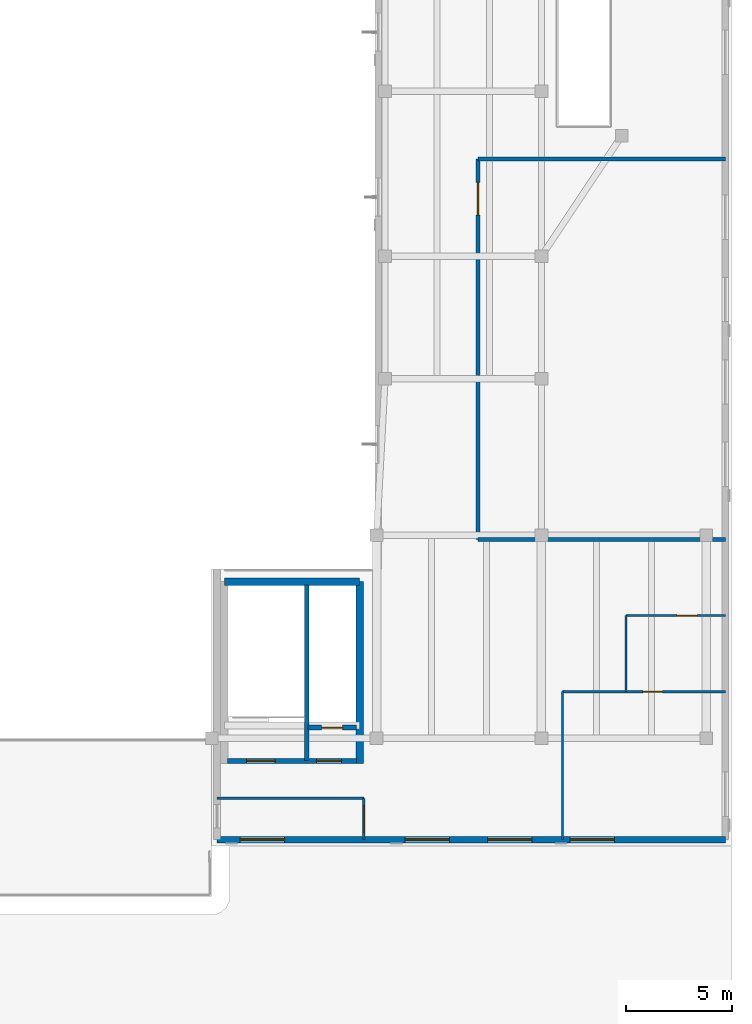
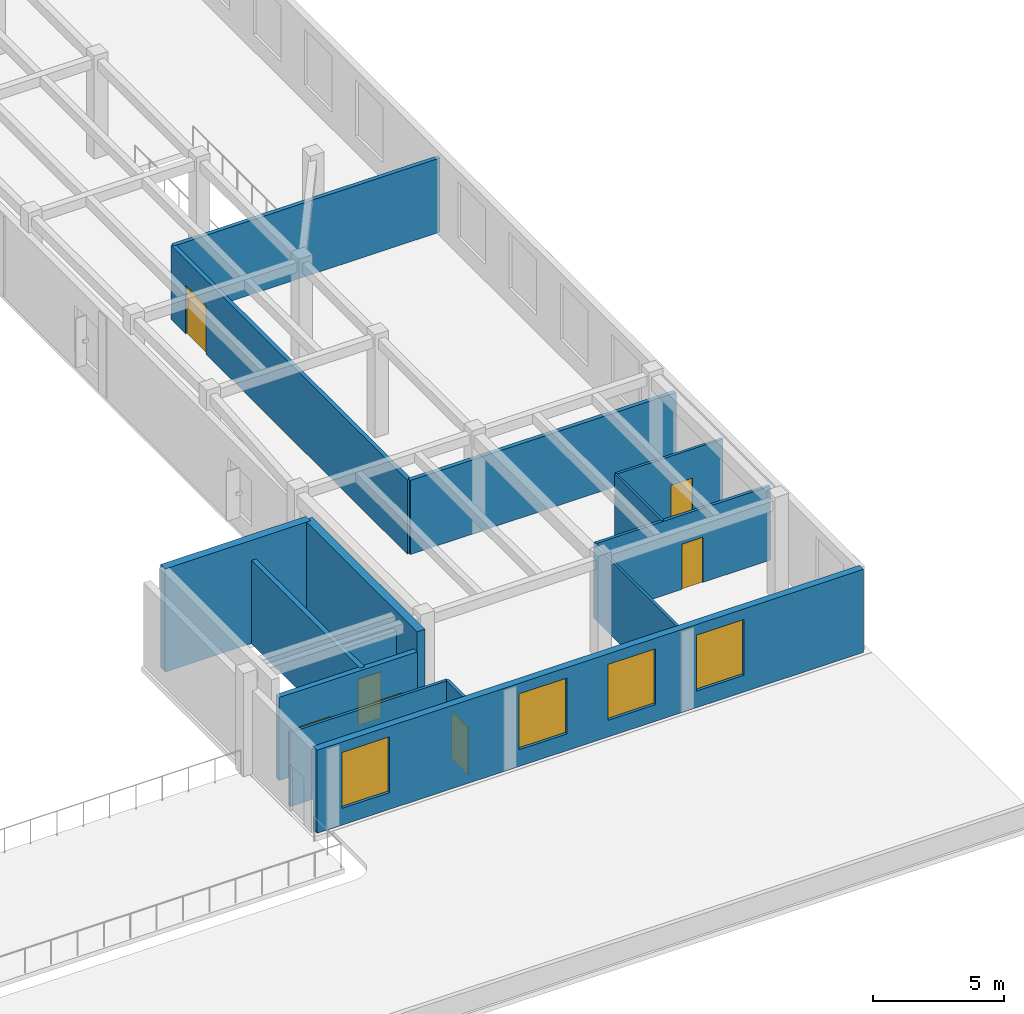
# One storey, part 61 of 69: 15 walls, 7 doors, 4 windows, 11 openings.
"""IFC4 building model written with IfcOpenShell, lengths in metres."""

from ifc_helpers import new_model, si_unit, direction, frame, frame_2d, origin, place, context, subcontext, project, spatial, rectangle, extrude, material, layer, layer_set, type_object, element, fill, save


model = new_model("IFC4")

# Units and contexts
model_context = context("Model", 3, precision=1e-05, world=origin(), true_north=direction((0.0, 1.0)))
body_context = subcontext(model_context, "Body", "Model", "MODEL_VIEW")
ifc_project = project(units=[si_unit("LENGTHUNIT", "METRE"), si_unit("AREAUNIT", "SQUARE_METRE"), si_unit("VOLUMEUNIT", "CUBIC_METRE"), si_unit("PLANEANGLEUNIT", "RADIAN"), si_unit("MASSUNIT", "GRAM", prefix="KILO")], contexts=[model_context])

# Site, building, storey
site_placement = place(None, origin())
site = spatial("IfcSite", under=ifc_project, at=site_placement, CompositionType="ELEMENT")
building_placement = place(site_placement, origin())
building = spatial("IfcBuilding", under=site, at=building_placement, Name="Pelvatis Terrace Science Centre", CompositionType="ELEMENT")
storey_placement = place(building_placement, frame((0.0, 0.0, 15.0)))
storey = spatial("IfcBuildingStorey", under=building, at=storey_placement, Name="L03", CompositionType="ELEMENT", Elevation=15.0)

# Wall, openings, windows
ifc_material_1 = material(Name="Precast concrete C35/45 architectural stone", Category="masonry")
ifc_layer_1 = layer(ifc_material_1, 0.31005859375)
ifc_layer_set_1 = layer_set([ifc_layer_1], Name="Precast concrete C35/45 architectural stone")
wall_type_1 = type_object("IfcWallType", Name="WL-EXT-PREC-310", PredefinedType="SOLIDWALL", material=ifc_layer_set_1)
wall_1_placement = place(storey_placement, frame((132.85009765625, 19.199951171875, 0.0), z_axis=(0.0, 0.0, 1.0), x_axis=(1.0, 0.0, 0.0)))
wall_1 = element("IfcWall", 1, at=wall_1_placement, inside=storey, type_object=wall_type_1, Name="Exterior classical Art Deco facade wall EW-L03-STER", PredefinedType="SOLIDWALL", context=body_context, shape_type="SweptSolid", body=[
    extrude(rectangle(XDim=24.0498046875, YDim=0.31005859375, at=frame_2d((12.02490234375, 0.0))), origin(), (0.0, 0.0, 1.0), 3.8701171875),
])
opening_1_placement = place(wall_1_placement, frame((1.10009765625, 0.0, 0.780029296875)))
opening_1 = element("IfcOpeningElement", 2, at=opening_1_placement, cuts=wall_1, Name="Opening W-095", PredefinedType="OPENING", context=body_context, shape_type="SweptSolid", body=[
    extrude(rectangle(XDim=2.10009765625, YDim=2.60009765625, at=frame_2d((1.050048828125, 1.300048828125))), frame((0.0, 0.1650390625, 0.0), z_axis=(0.0, -1.0, 0.0), x_axis=(1.0, 0.0, 0.0)), (0.0, 0.0, 1.0), 0.330078125),
])
opening_2_placement = place(wall_1_placement, frame((8.89990234375, 0.0, 0.780029296875)))
opening_2 = element("IfcOpeningElement", 3, at=opening_2_placement, cuts=wall_1, Name="Opening W-096", PredefinedType="OPENING", context=body_context, shape_type="SweptSolid", body=[
    extrude(rectangle(XDim=2.10009765625, YDim=2.60009765625, at=frame_2d((1.050048828125, 1.300048828125))), frame((0.0, 0.1650390625, 0.0), z_axis=(0.0, -1.0, 0.0), x_axis=(1.0, 0.0, 0.0)), (0.0, 0.0, 1.0), 0.330078125),
])
opening_3_placement = place(wall_1_placement, frame((12.800048828125, 0.0, 0.780029296875)))
opening_3 = element("IfcOpeningElement", 4, at=opening_3_placement, cuts=wall_1, Name="Opening W-097", PredefinedType="OPENING", context=body_context, shape_type="SweptSolid", body=[
    extrude(rectangle(XDim=2.10009765625, YDim=2.60009765625, at=frame_2d((1.050048828125, 1.300048828125))), frame((0.0, 0.1650390625, 0.0), z_axis=(0.0, -1.0, 0.0), x_axis=(1.0, 0.0, 0.0)), (0.0, 0.0, 1.0), 0.330078125),
])
opening_4_placement = place(wall_1_placement, frame((16.699951171875, 0.0, 0.780029296875)))
opening_4 = element("IfcOpeningElement", 5, at=opening_4_placement, cuts=wall_1, Name="Opening W-098", PredefinedType="OPENING", context=body_context, shape_type="SweptSolid", body=[
    extrude(rectangle(XDim=2.10009765625, YDim=2.60009765625, at=frame_2d((1.050048828125, 1.300048828125))), frame((0.0, 0.1650390625, 0.0), z_axis=(0.0, -1.0, 0.0), x_axis=(1.0, 0.0, 0.0)), (0.0, 0.0, 1.0), 0.330078125),
])
ifc_material_2 = material(Name="Bronze-anodised aluminium and laminated low-e glass", Category="aluminium")
window_type = type_object("IfcWindowType", Name="WIN-AD-2100x2600", PartitioningType="SINGLE_PANEL", PredefinedType="WINDOW", material=ifc_material_2)
window_1_placement = place(opening_1_placement, origin())
window_1 = element("IfcWindow", 6, at=window_1_placement, inside=storey, type_object=window_type, Name="Art Deco facade window W-095 (L03)", OverallHeight=2.60009765625, OverallWidth=2.10009765625, PartitioningType="SINGLE_PANEL", PredefinedType="WINDOW", context=body_context, shape_type="SweptSolid", body=[
    extrude(rectangle(XDim=2.10009765625, YDim=2.60009765625, at=frame_2d((1.050048828125, 1.300048828125))), frame((0.0, 0.030029296875, 0.0), z_axis=(0.0, -1.0, 0.0), x_axis=(1.0, 0.0, 0.0)), (0.0, 0.0, 1.0), 0.06005859375),
])
fill(opening_1, window_1)
window_2_placement = place(opening_2_placement, origin())
window_2 = element("IfcWindow", 7, at=window_2_placement, inside=storey, type_object=window_type, Name="Art Deco facade window W-096 (L03)", OverallHeight=2.60009765625, OverallWidth=2.10009765625, PartitioningType="SINGLE_PANEL", PredefinedType="WINDOW", context=body_context, shape_type="SweptSolid", body=[
    extrude(rectangle(XDim=2.10009765625, YDim=2.60009765625, at=frame_2d((1.050048828125, 1.300048828125))), frame((0.0, 0.030029296875, 0.0), z_axis=(0.0, -1.0, 0.0), x_axis=(1.0, 0.0, 0.0)), (0.0, 0.0, 1.0), 0.06005859375),
])
fill(opening_2, window_2)
window_3_placement = place(opening_3_placement, origin())
window_3 = element("IfcWindow", 8, at=window_3_placement, inside=storey, type_object=window_type, Name="Art Deco facade window W-097 (L03)", OverallHeight=2.60009765625, OverallWidth=2.10009765625, PartitioningType="SINGLE_PANEL", PredefinedType="WINDOW", context=body_context, shape_type="SweptSolid", body=[
    extrude(rectangle(XDim=2.10009765625, YDim=2.60009765625, at=frame_2d((1.050048828125, 1.300048828125))), frame((0.0, 0.030029296875, 0.0), z_axis=(0.0, -1.0, 0.0), x_axis=(1.0, 0.0, 0.0)), (0.0, 0.0, 1.0), 0.06005859375),
])
fill(opening_3, window_3)
window_4_placement = place(opening_4_placement, origin())
window_4 = element("IfcWindow", 9, at=window_4_placement, inside=storey, type_object=window_type, Name="Art Deco facade window W-098 (L03)", OverallHeight=2.60009765625, OverallWidth=2.10009765625, PartitioningType="SINGLE_PANEL", PredefinedType="WINDOW", context=body_context, shape_type="SweptSolid", body=[
    extrude(rectangle(XDim=2.10009765625, YDim=2.60009765625, at=frame_2d((1.050048828125, 1.300048828125))), frame((0.0, 0.030029296875, 0.0), z_axis=(0.0, -1.0, 0.0), x_axis=(1.0, 0.0, 0.0)), (0.0, 0.0, 1.0), 0.06005859375),
])
fill(opening_4, window_4)

# Wall
ifc_material_3 = material(Name="Concrete C35/45 shaft dividing wall", Category="concrete")
ifc_layer_2 = layer(ifc_material_3, 0.2099609375)
ifc_layer_set_2 = layer_set([ifc_layer_2], Name="Concrete C35/45 shaft dividing wall")
wall_type_2 = type_object("IfcWallType", Name="WL-INT-CORE-210", PredefinedType="PARTITIONING", material=ifc_layer_set_2)
wall_2_placement = place(storey_placement, frame((137.10009765625, 22.949951171875, 0.0), z_axis=(0.0, 0.0, 1.0), x_axis=(0.0, 1.0, 0.0)))
element("IfcWall", 10, at=wall_2_placement, inside=storey, type_object=wall_type_2, Name="Core C4 stair-lift shaft fire wall (L03)", PredefinedType="PARTITIONING", context=body_context, shape_type="SweptSolid", body=[
    extrude(rectangle(XDim=8.300048828125, YDim=0.2099609375, at=frame_2d((4.14990234375, 0.0))), origin(), (0.0, 0.0, 1.0), 3.8701171875),
])

# Wall, opening, door
ifc_material_4 = material(Name="Concrete C35/45 stair enclosure wall", Category="concrete")
ifc_layer_3 = layer(ifc_material_4, 0.22509765625)
ifc_layer_set_3 = layer_set([ifc_layer_3], Name="Concrete C35/45 stair enclosure wall")
wall_type_3 = type_object("IfcWallType", Name="WL-INT-CORE-225", PredefinedType="PARTITIONING", material=ifc_layer_set_3)
wall_3_placement = place(storey_placement, frame((137.14990234375, 24.5, 0.0), z_axis=(0.0, 0.0, 1.0), x_axis=(1.0, 0.0, 0.0)))
wall_3 = element("IfcWall", 11, at=wall_3_placement, inside=storey, type_object=wall_type_3, Name="Core C4 lift shaft landing wall (L03)", PredefinedType="PARTITIONING", context=body_context, shape_type="SweptSolid", body=[
    extrude(rectangle(XDim=2.300048828125, YDim=0.22509765625, at=frame_2d((1.14990234375, 0.0))), origin(), (0.0, 0.0, 1.0), 3.8701171875),
])
opening_5_placement = place(wall_3_placement, frame((0.64990234375, 0.0, 0.0)))
opening_5 = element("IfcOpeningElement", 12, at=opening_5_placement, cuts=wall_3, Name="Opening LD-C4-5", PredefinedType="OPENING", context=body_context, shape_type="SweptSolid", body=[
    extrude(rectangle(XDim=1.0, YDim=2.14990234375, at=frame_2d((0.5, 1.074951171875))), frame((0.0, 0.12255859375, 0.0), z_axis=(0.0, -1.0, 0.0), x_axis=(1.0, 0.0, 0.0)), (0.0, 0.0, 1.0), 0.2451171875),
])
ifc_material_5 = material(Name="Bronze-clad sliding passenger lift landing door", Category="steel")
door_type_1 = type_object("IfcDoorType", Name="DR-LIFT-1000x2150", OperationType="NOTDEFINED", PredefinedType="DOOR", material=ifc_material_5)
door_1_placement = place(opening_5_placement, origin())
door_1 = element("IfcDoor", 13, at=door_1_placement, inside=storey, type_object=door_type_1, Name="Lift LF-06 sliding landing door (L03)", OperationType="SLIDING_TO_LEFT", OverallHeight=2.14990234375, OverallWidth=1.0, PredefinedType="DOOR", context=body_context, shape_type="SweptSolid", body=[
    extrude(rectangle(XDim=1.0, YDim=2.14990234375, at=frame_2d((0.5, 1.074951171875))), frame((0.0, 0.02490234375, 0.0), z_axis=(0.0, -1.0, 0.0), x_axis=(1.0, 0.0, 0.0)), (0.0, 0.0, 1.0), 0.050048828125),
])
fill(opening_5, door_1)

# Wall, openings, doors
ifc_material_6 = material(Name="Concrete C35/45 shaft enclosure wall", Category="concrete")
ifc_layer_4 = layer(ifc_material_6, 0.239990234375)
ifc_layer_set_4 = layer_set([ifc_layer_4], Name="Concrete C35/45 shaft enclosure wall")
wall_type_4 = type_object("IfcWallType", Name="WL-INT-CORE-240", PredefinedType="PARTITIONING", material=ifc_layer_set_4)
wall_4_placement = place(storey_placement, frame((133.35009765625, 22.919921875, 0.0), z_axis=(0.0, 0.0, 1.0), x_axis=(1.0, 0.0, 0.0)))
wall_4 = element("IfcWall", 14, at=wall_4_placement, inside=storey, type_object=wall_type_4, Name="Core C4 fire-rated lobby wall (L03)", PredefinedType="PARTITIONING", context=body_context, shape_type="SweptSolid", body=[
    extrude(rectangle(XDim=6.099853515625, YDim=0.239990234375, at=frame_2d((3.0498046875, 0.0))), origin(), (0.0, 0.0, 1.0), 3.8701171875),
])
opening_6_placement = place(wall_4_placement, frame((0.89990234375, 0.0, 0.0)))
opening_6 = element("IfcOpeningElement", 15, at=opening_6_placement, cuts=wall_4, Name="Opening D-149", PredefinedType="OPENING", context=body_context, shape_type="SweptSolid", body=[
    extrude(rectangle(XDim=1.35009765625, YDim=2.199951171875, at=frame_2d((0.675048828125, 1.10009765625))), frame((0.0, 0.1298828125, 0.0), z_axis=(0.0, -1.0, 0.0), x_axis=(1.0, 0.0, 0.0)), (0.0, 0.0, 1.0), 0.260009765625),
])
opening_7_placement = place(wall_4_placement, frame((4.199951171875, 0.0, 0.0)))
opening_7 = element("IfcOpeningElement", 16, at=opening_7_placement, cuts=wall_4, Name="Opening D-150", PredefinedType="OPENING", context=body_context, shape_type="SweptSolid", body=[
    extrude(rectangle(XDim=1.199951171875, YDim=2.199951171875, at=frame_2d((0.60009765625, 1.10009765625))), frame((0.0, 0.1298828125, 0.0), z_axis=(0.0, -1.0, 0.0), x_axis=(1.0, 0.0, 0.0)), (0.0, 0.0, 1.0), 0.260009765625),
])
ifc_material_7 = material(Name="Steel fire-rated exit stair door", Category="steel")
door_type_2 = type_object("IfcDoorType", Name="DR-STAIR-1200x2200", OperationType="NOTDEFINED", PredefinedType="DOOR", material=ifc_material_7)
door_2_placement = place(opening_7_placement, origin())
door_2 = element("IfcDoor", 17, at=door_2_placement, inside=storey, type_object=door_type_2, Name="Core C4 lift lobby fire door (L03)", OperationType="SINGLE_SWING_RIGHT", OverallHeight=2.199951171875, OverallWidth=1.199951171875, PredefinedType="DOOR", context=body_context, shape_type="SweptSolid", body=[
    extrude(rectangle(XDim=1.199951171875, YDim=2.199951171875, at=frame_2d((0.60009765625, 1.10009765625))), frame((0.0, 0.02490234375, 0.0), z_axis=(0.0, -1.0, 0.0), x_axis=(1.0, 0.0, 0.0)), (0.0, 0.0, 1.0), 0.050048828125),
])
fill(opening_7, door_2)
ifc_material_8 = material(Name="Steel fire-rated protected stair door", Category="steel")
door_type_3 = type_object("IfcDoorType", Name="DR-STAIR-1350x2200", OperationType="NOTDEFINED", PredefinedType="DOOR", material=ifc_material_8)
door_3_placement = place(opening_6_placement, origin())
door_3 = element("IfcDoor", 18, at=door_3_placement, inside=storey, type_object=door_type_3, Name="Core C4 protected stair fire door (L03)", OperationType="SINGLE_SWING_LEFT", OverallHeight=2.199951171875, OverallWidth=1.35009765625, PredefinedType="DOOR", context=body_context, shape_type="SweptSolid", body=[
    extrude(rectangle(XDim=1.35009765625, YDim=2.199951171875, at=frame_2d((0.675048828125, 1.10009765625))), frame((0.0, 0.02490234375, 0.0), z_axis=(0.0, -1.0, 0.0), x_axis=(1.0, 0.0, 0.0)), (0.0, 0.0, 1.0), 0.050048828125),
])
fill(opening_6, door_3)

# Walls
ifc_material_9 = material(Name="Glazed laboratory screen", Category="glass")
ifc_layer_5 = layer(ifc_material_9, 0.097900390625)
ifc_layer_set_5 = layer_set([ifc_layer_5], Name="Glazed laboratory screen")
wall_type_5 = type_object("IfcWallType", Name="WL-INT-GAL-098", PredefinedType="PARTITIONING", material=ifc_layer_set_5)
wall_5_placement = place(storey_placement, frame((152.199951171875, 29.800048828125, 0.0), z_axis=(0.0, 0.0, 1.0), x_axis=(0.0, -1.0, 0.0)))
element("IfcWall", 19, at=wall_5_placement, inside=storey, type_object=wall_type_5, Name="Level L03 Accessible WC partition wall W", PredefinedType="PARTITIONING", context=body_context, shape_type="SweptSolid", body=[
    extrude(rectangle(XDim=3.60009765625, YDim=0.097900390625, at=frame_2d((1.800048828125, 0.0))), origin(), (0.0, 0.0, 1.0), 3.449951171875),
])
ifc_material_10 = material(Name="Alcove display partition", Category="masonry")
ifc_layer_6 = layer(ifc_material_10, 0.110107421875)
ifc_layer_set_6 = layer_set([ifc_layer_6], Name="Alcove display partition")
wall_type_6 = type_object("IfcWallType", Name="WL-INT-GAL-110", PredefinedType="PARTITIONING", material=ifc_layer_set_6)
wall_6_placement = place(storey_placement, frame((149.199951171875, 26.199951171875, 0.0), z_axis=(0.0, 0.0, 1.0), x_axis=(0.0, -1.0, 0.0)))
element("IfcWall", 20, at=wall_6_placement, inside=storey, type_object=wall_type_6, Name="Level L03 Public Restrooms partition wall W", PredefinedType="PARTITIONING", context=body_context, shape_type="SweptSolid", body=[
    extrude(rectangle(XDim=7.0, YDim=0.110107421875, at=frame_2d((3.5, 0.0))), origin(), (0.0, 0.0, 1.0), 3.449951171875),
])

# Wall, opening, door
ifc_material_11 = material(Name="Seminar partition wall", Category="masonry")
ifc_layer_7 = layer(ifc_material_11, 0.1201171875)
ifc_layer_set_7 = layer_set([ifc_layer_7], Name="Seminar partition wall")
wall_type_7 = type_object("IfcWallType", Name="WL-INT-GAL-120", PredefinedType="PARTITIONING", material=ifc_layer_set_7)
wall_7_placement = place(storey_placement, frame((139.800048828125, 19.199951171875, 0.0), z_axis=(0.0, 0.0, 1.0), x_axis=(0.0, 1.0, 0.0)))
wall_7 = element("IfcWall", 21, at=wall_7_placement, inside=storey, type_object=wall_type_7, Name="Scientific Administration and Academic Seminar Suite partition wall E", PredefinedType="PARTITIONING", context=body_context, shape_type="SweptSolid", body=[
    extrude(rectangle(XDim=1.949951171875, YDim=0.1201171875, at=frame_2d((0.97509765625, 0.0))), origin(), (0.0, 0.0, 1.0), 3.449951171875),
])
opening_8_placement = place(wall_7_placement, frame((0.340087890625, 0.0, 0.0)))
opening_8 = element("IfcOpeningElement", 22, at=opening_8_placement, cuts=wall_7, Name="Opening D-213", PredefinedType="OPENING", context=body_context, shape_type="SweptSolid", body=[
    extrude(rectangle(XDim=1.25, YDim=2.199951171875, at=frame_2d((0.625, 1.10009765625))), frame((0.0, 0.070068359375, 0.0), z_axis=(0.0, -1.0, 0.0), x_axis=(1.0, 0.0, 0.0)), (0.0, 0.0, 1.0), 0.14013671875),
])
ifc_material_12 = material(Name="Acoustic timber seminar fire door", Category="wood")
door_type_4 = type_object("IfcDoorType", Name="DR-SEM-1250x2200", OperationType="NOTDEFINED", PredefinedType="DOOR", material=ifc_material_12)
door_4_placement = place(opening_8_placement, origin())
door_4 = element("IfcDoor", 23, at=door_4_placement, inside=storey, type_object=door_type_4, Name="Scientific Administration and Academic Seminar Suite entrance door", OperationType="SINGLE_SWING_RIGHT", OverallHeight=2.199951171875, OverallWidth=1.25, PredefinedType="DOOR", context=body_context, shape_type="SweptSolid", body=[
    extrude(rectangle(XDim=1.25, YDim=2.199951171875, at=frame_2d((0.625, 1.10009765625))), frame((0.0, 0.02490234375, 0.0), z_axis=(0.0, -1.0, 0.0), x_axis=(1.0, 0.0, 0.0)), (0.0, 0.0, 1.0), 0.050048828125),
])
fill(opening_8, door_4)

# Walls
wall_8_placement = place(storey_placement, frame((139.800048828125, 21.14990234375, 0.0), z_axis=(0.0, 0.0, 1.0), x_axis=(-1.0, 0.0, 0.0)))
element("IfcWall", 24, at=wall_8_placement, inside=storey, type_object=wall_type_7, Name="Scientific Administration and Academic Seminar Suite partition wall N", PredefinedType="PARTITIONING", context=body_context, shape_type="SweptSolid", body=[
    extrude(rectangle(XDim=6.949951171875, YDim=0.1201171875, at=frame_2d((3.47509765625, 0.0))), origin(), (0.0, 0.0, 1.0), 3.449951171875),
])
ifc_material_13 = material(Name="Moisture-resistant laboratory partition", Category="masonry")
ifc_layer_8 = layer(ifc_material_13, 0.175048828125)
ifc_layer_set_8 = layer_set([ifc_layer_8], Name="Moisture-resistant laboratory partition")
wall_type_8 = type_object("IfcWallType", Name="WL-INT-LAB-175", PredefinedType="PARTITIONING", material=ifc_layer_set_8)
for number, where, z_axis, x_axis, name in (
    (25, (145.199951171875, 33.39990234375, 0.0), (0.0, 0.0, 1.0), (1.0, 0.0, 0.0), "Paleobotany and Specimen Conservation Laboratory partition wall S"),
    (26, (156.89990234375, 51.39990234375, 0.0), (0.0, 0.0, 1.0), (-1.0, 0.0, 0.0), "Paleobotany and Specimen Conservation Laboratory partition wall N"),
):
    element("IfcWall", number, at=place(storey_placement, frame(where, z_axis=z_axis, x_axis=x_axis)), inside=storey, type_object=wall_type_8, Name=name, PredefinedType="PARTITIONING", context=body_context, shape_type="SweptSolid", body=[
        extrude(rectangle(XDim=11.699951171875, YDim=0.175048828125, at=frame_2d((5.85009765625, 0.0))), origin(), (0.0, 0.0, 1.0), 3.449951171875),
    ])

# Wall, opening, door
wall_9_placement = place(storey_placement, frame((145.199951171875, 51.39990234375, 0.0), z_axis=(0.0, 0.0, 1.0), x_axis=(0.0, -1.0, 0.0)))
wall_9 = element("IfcWall", 27, at=wall_9_placement, inside=storey, type_object=wall_type_8, Name="Paleobotany and Specimen Conservation Laboratory partition wall W", PredefinedType="PARTITIONING", context=body_context, shape_type="SweptSolid", body=[
    extrude(rectangle(XDim=18.0, YDim=0.175048828125, at=frame_2d((9.0, 0.0))), origin(), (0.0, 0.0, 1.0), 3.449951171875),
])
opening_9_placement = place(wall_9_placement, frame((1.10205078125, 0.0, 0.0)))
opening_9 = element("IfcOpeningElement", 28, at=opening_9_placement, cuts=wall_9, Name="Opening D-211", PredefinedType="OPENING", context=body_context, shape_type="SweptSolid", body=[
    extrude(rectangle(XDim=1.550048828125, YDim=2.25, at=frame_2d((0.77490234375, 1.125))), frame((0.0, 0.097412109375, 0.0), z_axis=(0.0, -1.0, 0.0), x_axis=(1.0, 0.0, 0.0)), (0.0, 0.0, 1.0), 0.195068359375),
])
ifc_material_14 = material(Name="Leaf-and-a-half laboratory equipment fire door", Category="wood")
door_type_5 = type_object("IfcDoorType", Name="DR-LAB-1550x2250", OperationType="NOTDEFINED", PredefinedType="DOOR", material=ifc_material_14)
door_5_placement = place(opening_9_placement, origin())
door_5 = element("IfcDoor", 29, at=door_5_placement, inside=storey, type_object=door_type_5, Name="Paleobotany and Specimen Conservation Laboratory entrance door", OperationType="DOUBLE_DOOR_SINGLE_SWING", OverallHeight=2.25, OverallWidth=1.550048828125, PredefinedType="DOOR", context=body_context, shape_type="SweptSolid", body=[
    extrude(rectangle(XDim=1.550048828125, YDim=2.25, at=frame_2d((0.77490234375, 1.125))), frame((0.0, 0.02490234375, 0.0), z_axis=(0.0, -1.0, 0.0), x_axis=(1.0, 0.0, 0.0)), (0.0, 0.0, 1.0), 0.050048828125),
])
fill(opening_9, door_5)

ifc_material_15 = material(Name="Accessible WC cubicle partition", Category="masonry")
ifc_layer_9 = layer(ifc_material_15, 0.114990234375)
ifc_layer_set_9 = layer_set([ifc_layer_9], Name="Accessible WC cubicle partition")
wall_type_9 = type_object("IfcWallType", Name="WL-INT-WET-115", PredefinedType="PARTITIONING", material=ifc_layer_set_9)
wall_10_placement = place(storey_placement, frame((156.89990234375, 29.800048828125, 0.0), z_axis=(0.0, 0.0, 1.0), x_axis=(-1.0, 0.0, 0.0)))
wall_10 = element("IfcWall", 30, at=wall_10_placement, inside=storey, type_object=wall_type_9, Name="Level L03 Accessible WC partition wall N", PredefinedType="PARTITIONING", context=body_context, shape_type="SweptSolid", body=[
    extrude(rectangle(XDim=4.699951171875, YDim=0.114990234375, at=frame_2d((2.35009765625, 0.0))), origin(), (0.0, 0.0, 1.0), 3.449951171875),
])
opening_10_placement = place(wall_10_placement, frame((1.345947265625, 0.0, 0.0)))
opening_10 = element("IfcOpeningElement", 31, at=opening_10_placement, cuts=wall_10, Name="Opening D-215", PredefinedType="OPENING", context=body_context, shape_type="SweptSolid", body=[
    extrude(rectangle(XDim=0.949951171875, YDim=2.10009765625, at=frame_2d((0.47509765625, 1.050048828125))), frame((0.0, 0.0673828125, 0.0), z_axis=(0.0, -1.0, 0.0), x_axis=(1.0, 0.0, 0.0)), (0.0, 0.0, 1.0), 0.135009765625),
])
ifc_material_16 = material(Name="Moisture-resistant accessible restroom door", Category="wood")
door_type_6 = type_object("IfcDoorType", Name="DR-WC-0950x2100", OperationType="NOTDEFINED", PredefinedType="DOOR", material=ifc_material_16)
door_6_placement = place(opening_10_placement, origin())
door_6 = element("IfcDoor", 32, at=door_6_placement, inside=storey, type_object=door_type_6, Name="Level L03 Accessible WC entrance door", OperationType="SINGLE_SWING_RIGHT", OverallHeight=2.10009765625, OverallWidth=0.949951171875, PredefinedType="DOOR", context=body_context, shape_type="SweptSolid", body=[
    extrude(rectangle(XDim=0.949951171875, YDim=2.10009765625, at=frame_2d((0.47509765625, 1.050048828125))), frame((0.0, 0.02490234375, 0.0), z_axis=(0.0, -1.0, 0.0), x_axis=(1.0, 0.0, 0.0)), (0.0, 0.0, 1.0), 0.050048828125),
])
fill(opening_10, door_6)

ifc_material_17 = material(Name="Ceramic-tiled wet restroom partition", Category="masonry")
ifc_layer_10 = layer(ifc_material_17, 0.1298828125)
ifc_layer_set_10 = layer_set([ifc_layer_10], Name="Ceramic-tiled wet restroom partition")
wall_type_10 = type_object("IfcWallType", Name="WL-INT-WET-130", PredefinedType="PARTITIONING", material=ifc_layer_set_10)
wall_11_placement = place(storey_placement, frame((156.89990234375, 26.199951171875, 0.0), z_axis=(0.0, 0.0, 1.0), x_axis=(-1.0, 0.0, 0.0)))
wall_11 = element("IfcWall", 33, at=wall_11_placement, inside=storey, type_object=wall_type_10, Name="Level L03 Public Restrooms partition wall N", PredefinedType="PARTITIONING", context=body_context, shape_type="SweptSolid", body=[
    extrude(rectangle(XDim=7.699951171875, YDim=0.1298828125, at=frame_2d((3.85009765625, 0.0))), origin(), (0.0, 0.0, 1.0), 3.449951171875),
])
opening_11_placement = place(wall_11_placement, frame((2.97705078125, 0.0, 0.0)))
opening_11 = element("IfcOpeningElement", 34, at=opening_11_placement, cuts=wall_11, Name="Opening D-214", PredefinedType="OPENING", context=body_context, shape_type="SweptSolid", body=[
    extrude(rectangle(XDim=0.919921875, YDim=2.10009765625, at=frame_2d((0.4599609375, 1.050048828125))), frame((0.0, 0.074951171875, 0.0), z_axis=(0.0, -1.0, 0.0), x_axis=(1.0, 0.0, 0.0)), (0.0, 0.0, 1.0), 0.14990234375),
])
ifc_material_18 = material(Name="Moisture-resistant public restroom door", Category="wood")
door_type_7 = type_object("IfcDoorType", Name="DR-WC-0920x2100", OperationType="NOTDEFINED", PredefinedType="DOOR", material=ifc_material_18)
door_7_placement = place(opening_11_placement, origin())
door_7 = element("IfcDoor", 35, at=door_7_placement, inside=storey, type_object=door_type_7, Name="Level L03 Public Restrooms entrance door", OperationType="SINGLE_SWING_LEFT", OverallHeight=2.10009765625, OverallWidth=0.919921875, PredefinedType="DOOR", context=body_context, shape_type="SweptSolid", body=[
    extrude(rectangle(XDim=0.919921875, YDim=2.10009765625, at=frame_2d((0.4599609375, 1.050048828125))), frame((0.0, 0.02490234375, 0.0), z_axis=(0.0, -1.0, 0.0), x_axis=(1.0, 0.0, 0.0)), (0.0, 0.0, 1.0), 0.050048828125),
])
fill(opening_11, door_7)

# Walls
ifc_material_19 = material(Name="Concrete C40/50", Category="concrete")
ifc_layer_11 = layer(ifc_material_19, 0.35009765625)
ifc_layer_set_11 = layer_set([ifc_layer_11], Name="Concrete C40/50")
wall_type_11 = type_object("IfcWallType", Name="WL-SHR-350", PredefinedType="SHEAR", material=ifc_layer_set_11)
wall_12_placement = place(storey_placement, frame((133.199951171875, 31.39990234375, 0.0), z_axis=(0.0, 0.0, 1.0), x_axis=(1.0, 0.0, 0.0)))
element("IfcWall", 36, at=wall_12_placement, inside=storey, type_object=wall_type_11, Name="Core C4 shear wall N (L03)", PredefinedType="SHEAR", context=body_context, shape_type="SweptSolid", body=[
    extrude(rectangle(XDim=6.400146484375, YDim=0.35009765625, at=frame_2d((3.2001953125, 0.0))), origin(), (0.0, 0.0, 1.0), 4.800048828125),
])
wall_13_placement = place(storey_placement, frame((139.60009765625, 22.800048828125, 0.0), z_axis=(0.0, 0.0, 1.0), x_axis=(0.0, 1.0, 0.0)))
element("IfcWall", 37, at=wall_13_placement, inside=storey, type_object=wall_type_11, Name="Core C4 shear wall E (L03)", PredefinedType="SHEAR", context=body_context, shape_type="SweptSolid", body=[
    extrude(rectangle(XDim=8.599853515625, YDim=0.35009765625, at=frame_2d((4.2998046875, 0.0))), origin(), (0.0, 0.0, 1.0), 4.800048828125),
])

save(model, "model.ifc")
